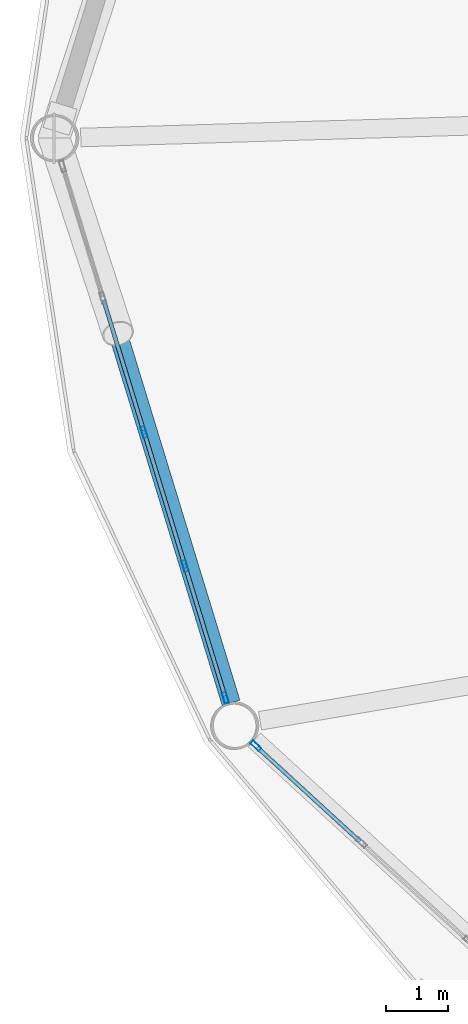
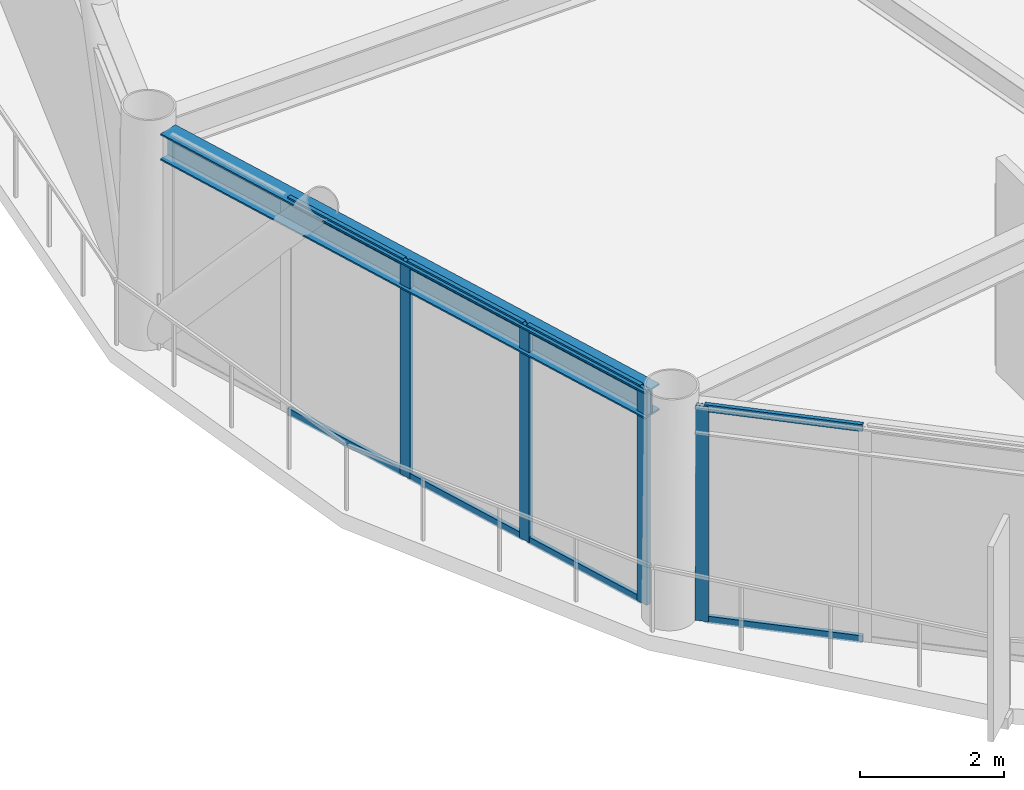
# One storey, part 5 of 25: 12 members, 1 beam, 2 elements without a shape of their own.
"""IFC4 building model written with IfcOpenShell, lengths in metres."""

from ifc_helpers import new_model, si_unit, direction, frame, origin, origin_2d, place, context, subcontext, project, spatial, hollow_rectangle, i_section, extrude, material, layer, layer_set, material_profile, profile_set, type_object, element, aggregate, save


model = new_model("IFC4")

# Units and contexts
model_context = context("Model", 3, precision=1e-05, world=origin(), true_north=direction((0.0, 1.0)))
body_context = subcontext(model_context, "Body", "Model", "MODEL_VIEW")
ifc_project = project(units=[si_unit("LENGTHUNIT", "METRE"), si_unit("AREAUNIT", "SQUARE_METRE"), si_unit("VOLUMEUNIT", "CUBIC_METRE"), si_unit("PLANEANGLEUNIT", "RADIAN"), si_unit("MASSUNIT", "GRAM", prefix="KILO")], contexts=[model_context])

# Site, building, storey
site_placement = place(None, origin())
site = spatial("IfcSite", under=ifc_project, at=site_placement, CompositionType="ELEMENT")
building_placement = place(site_placement, origin())
building = spatial("IfcBuilding", under=site, at=building_placement, Name="Varnakorn Sky Granary", CompositionType="ELEMENT")
storey_placement = place(building_placement, frame((0.0, 0.0, 146.10009765625)))
storey = spatial("IfcBuildingStorey", under=building, at=storey_placement, Name="L36", CompositionType="ELEMENT", Elevation=146.10009765625)

# Beam
ifc_material_1 = material(Name="Steel S355JR", Category="steel")
ifc_material_profile_1 = material_profile(ifc_material_1, i_section(OverallWidth=0.300048828125, OverallDepth=0.449951171875, WebThickness=0.013916015625, FlangeThickness=0.02587890625, at=origin_2d()), Name="HE 450 B")
ifc_profile_set_1 = profile_set([ifc_material_profile_1], Name="Steel S355JR")
beam_type = type_object("IfcBeamType", Name="BM-SPD-Z3", PredefinedType="SPANDREL", material=ifc_profile_set_1)
beam_placement = place(storey_placement, frame((-22.17578125, -0.35009765625, 3.414794921875), z_axis=(0.292751000274, -0.956188711416, 0.0), x_axis=(0.956188711416, 0.292751000274, 0.0)))
element("IfcBeam", 1, at=beam_placement, inside=storey, type_object=beam_type, Name="Perimeter Spandrel Ring Beam RB07 L36", PredefinedType="SPANDREL", context=body_context, shape_type="SweptSolid", body=[
    extrude(i_section(OverallWidth=0.300048828125, OverallDepth=0.449951171875, WebThickness=0.013916015625, FlangeThickness=0.02587890625, at=origin_2d()), origin(), (0.0, 0.0, 1.0), 9.178466796875),
])

# Curtain wall, members
ifc_material_2 = material(Name="Anodised Bronze Aluminium Alloy 6063-T6", Category="aluminium")
ifc_layer = layer(ifc_material_2, 0.179931640625, Name="Anodised Bronze Aluminium Alloy 6063-T6")
ifc_layer_set = layer_set([ifc_layer], Name="Anodised Bronze Aluminium Alloy 6063-T6")
curtain_wall_type = type_object("IfcCurtainWallType", Name="CW-FRM-2", PredefinedType="USERDEFINED", material=ifc_layer_set)
curtain_wall_1_placement = place(storey_placement, origin())
curtain_wall_1 = element("IfcCurtainWall", 2, at=curtain_wall_1_placement, inside=storey, type_object=curtain_wall_type, Name="Unitised Curtain Wall CW4 CW-L36-B07", ObjectType="CURTAIN WALL", PredefinedType="USERDEFINED")
ifc_material_profile_2 = material_profile(ifc_material_2, hollow_rectangle(XDim=0.070068359375, YDim=0.18505859375, WallThickness=0.00390625, at=origin_2d()), Name="ALU MULL 70x185")
ifc_profile_set_2 = profile_set([ifc_material_profile_2], Name="Anodised Bronze Aluminium Alloy 6063-T6")
member_type_1 = type_object("IfcMemberType", Name="CW-FRM-2-MULL", PredefinedType="MULLION", material=ifc_profile_set_2)
member_1_placement = place(storey_placement, frame((-19.5791015625, -9.04541015625, 0.0), z_axis=(0.0, 0.0, 1.0), x_axis=(-0.956145304488, -0.29289273925, 0.0)))
member_1 = element("IfcMember", 3, at=member_1_placement, type_object=member_type_1, Name="CW4 mullion 1", PredefinedType="MULLION", context=body_context, shape_type="SweptSolid", body=[
    extrude(hollow_rectangle(XDim=0.070068359375, YDim=0.18505859375, WallThickness=0.00390625, at=origin_2d()), origin(), (0.0, 0.0, 1.0), 3.639892578125),
])
member_2_placement = place(storey_placement, frame((-20.23193359375, -6.91455078125, 0.0), z_axis=(0.0, 0.0, 1.0), x_axis=(-0.956145304488, -0.29289273925, 0.0)))
member_2 = element("IfcMember", 4, at=member_2_placement, type_object=member_type_1, Name="CW4 mullion 2", PredefinedType="MULLION", context=body_context, shape_type="SweptSolid", body=[
    extrude(hollow_rectangle(XDim=0.070068359375, YDim=0.18505859375, WallThickness=0.00390625, at=origin_2d()), origin(), (0.0, 0.0, 1.0), 3.639892578125),
])
member_3_placement = place(storey_placement, frame((-20.894775390625, -4.750244140625, 0.0), z_axis=(0.0, 0.0, 1.0), x_axis=(-0.956145304488, -0.29289273925, 0.0)))
member_3 = element("IfcMember", 5, at=member_3_placement, type_object=member_type_1, Name="CW4 mullion 3", PredefinedType="MULLION", context=body_context, shape_type="SweptSolid", body=[
    extrude(hollow_rectangle(XDim=0.070068359375, YDim=0.18505859375, WallThickness=0.00390625, at=origin_2d()), origin(), (0.0, 0.0, 1.0), 3.639892578125),
])

# Curtain wall, member
curtain_wall_2_placement = place(storey_placement, origin())
curtain_wall_2 = element("IfcCurtainWall", 6, at=curtain_wall_2_placement, inside=storey, type_object=curtain_wall_type, Name="Unitised Curtain Wall CW4 CW-L36-B08", ObjectType="CURTAIN WALL", PredefinedType="USERDEFINED")
member_4_placement = place(storey_placement, frame((-19.0888671875, -9.822265625, 0.0), z_axis=(0.0, 0.0, 1.0), x_axis=(-0.675960473988, -0.736937879069, 0.0)))
member_4 = element("IfcMember", 7, at=member_4_placement, type_object=member_type_1, Name="CW4 mullion 5", PredefinedType="MULLION", context=body_context, shape_type="SweptSolid", body=[
    extrude(hollow_rectangle(XDim=0.070068359375, YDim=0.18505859375, WallThickness=0.00390625, at=origin_2d()), origin(), (0.0, 0.0, 1.0), 3.639892578125),
])

# Member
ifc_material_profile_3 = material_profile(ifc_material_2, hollow_rectangle(XDim=0.06494140625, YDim=0.1201171875, WallThickness=0.00341796875, at=origin_2d()), Name="ALU TRAN 65x120")
ifc_profile_set_3 = profile_set([ifc_material_profile_3], Name="Anodised Bronze Aluminium Alloy 6063-T6")
member_type_2 = type_object("IfcMemberType", Name="CW-FRM-2-TRAN", PredefinedType="USERDEFINED", material=ifc_profile_set_3)
member_5_placement = place(storey_placement, frame((-19.58935546875, -9.011962890625, 0.032470703125), z_axis=(-0.292925301905, 0.956135329074, 0.0), x_axis=(-0.956135329074, -0.292925301905, 0.0)))
member_5 = element("IfcMember", 8, at=member_5_placement, type_object=member_type_2, Name="CW4 transom 1.1", ObjectType="TRANSOM", PredefinedType="USERDEFINED", context=body_context, shape_type="SweptSolid", body=[
    extrude(hollow_rectangle(XDim=0.06494140625, YDim=0.1201171875, WallThickness=0.00341796875, at=origin_2d()), origin(), (0.0, 0.0, 1.0), 2.15869140625),
])

member_6_placement = place(storey_placement, frame((-19.58935546875, -9.011962890625, 3.607421875), z_axis=(-0.292925301905, 0.956135329074, 0.0), x_axis=(-0.956135329074, -0.292925301905, 0.0)))
member_6 = element("IfcMember", 9, at=member_6_placement, type_object=member_type_2, Name="CW4 transom 1.2", ObjectType="TRANSOM", PredefinedType="USERDEFINED", context=body_context, shape_type="SweptSolid", body=[
    extrude(hollow_rectangle(XDim=0.06494140625, YDim=0.1201171875, WallThickness=0.00341796875, at=origin_2d()), origin(), (0.0, 0.0, 1.0), 2.15869140625),
])

member_7_placement = place(storey_placement, frame((-20.2421875, -6.881103515625, 0.032470703125), z_axis=(-0.292826416271, 0.956165618465, 0.0), x_axis=(-0.956165618465, -0.292826416271, 0.0)))
member_7 = element("IfcMember", 10, at=member_7_placement, type_object=member_type_2, Name="CW4 transom 2.1", ObjectType="TRANSOM", PredefinedType="USERDEFINED", context=body_context, shape_type="SweptSolid", body=[
    extrude(hollow_rectangle(XDim=0.06494140625, YDim=0.1201171875, WallThickness=0.00341796875, at=origin_2d()), origin(), (0.0, 0.0, 1.0), 2.193603515625),
])

member_8_placement = place(storey_placement, frame((-20.2421875, -6.881103515625, 3.607421875), z_axis=(-0.292826416271, 0.956165618465, 0.0), x_axis=(-0.956165618465, -0.292826416271, 0.0)))
member_8 = element("IfcMember", 11, at=member_8_placement, type_object=member_type_2, Name="CW4 transom 2.2", ObjectType="TRANSOM", PredefinedType="USERDEFINED", context=body_context, shape_type="SweptSolid", body=[
    extrude(hollow_rectangle(XDim=0.06494140625, YDim=0.1201171875, WallThickness=0.00341796875, at=origin_2d()), origin(), (0.0, 0.0, 1.0), 2.193603515625),
])

member_9_placement = place(storey_placement, frame((-20.905029296875, -4.716796875, 0.032470703125), z_axis=(-0.292928166271, 0.956134451531, 0.0), x_axis=(-0.956134451531, -0.292928166271, 0.0)))
member_9 = element("IfcMember", 12, at=member_9_placement, type_object=member_type_2, Name="CW4 transom 3.1", ObjectType="TRANSOM", PredefinedType="USERDEFINED", context=body_context, shape_type="SweptSolid", body=[
    extrude(hollow_rectangle(XDim=0.06494140625, YDim=0.1201171875, WallThickness=0.00341796875, at=origin_2d()), origin(), (0.0, 0.0, 1.0), 2.193603515625),
])

member_10_placement = place(storey_placement, frame((-20.905029296875, -4.716796875, 3.607421875), z_axis=(-0.292928166271, 0.956134451531, 0.0), x_axis=(-0.956134451531, -0.292928166271, 0.0)))
member_10 = element("IfcMember", 13, at=member_10_placement, type_object=member_type_2, Name="CW4 transom 3.2", ObjectType="TRANSOM", PredefinedType="USERDEFINED", context=body_context, shape_type="SweptSolid", body=[
    extrude(hollow_rectangle(XDim=0.06494140625, YDim=0.1201171875, WallThickness=0.00341796875, at=origin_2d()), origin(), (0.0, 0.0, 1.0), 2.193603515625),
])

aggregate(curtain_wall_1, [member_1, member_2, member_3, member_5, member_6, member_7, member_8, member_9, member_10])

member_11_placement = place(storey_placement, frame((-17.407470703125, -11.364501953125, 0.032470703125), z_axis=(-0.736982708945, 0.67591159682, 0.0), x_axis=(-0.67591159682, -0.736982708945, 0.0)))
member_11 = element("IfcMember", 14, at=member_11_placement, type_object=member_type_2, Name="CW4 transom 4.1", ObjectType="TRANSOM", PredefinedType="USERDEFINED", context=body_context, shape_type="SweptSolid", body=[
    extrude(hollow_rectangle(XDim=0.06494140625, YDim=0.1201171875, WallThickness=0.00341796875, at=origin_2d()), origin(), (0.0, 0.0, 1.0), 2.24658203125),
])

member_12_placement = place(storey_placement, frame((-17.407470703125, -11.364501953125, 3.607421875), z_axis=(-0.736982708945, 0.67591159682, 0.0), x_axis=(-0.67591159682, -0.736982708945, 0.0)))
member_12 = element("IfcMember", 15, at=member_12_placement, type_object=member_type_2, Name="CW4 transom 4.2", ObjectType="TRANSOM", PredefinedType="USERDEFINED", context=body_context, shape_type="SweptSolid", body=[
    extrude(hollow_rectangle(XDim=0.06494140625, YDim=0.1201171875, WallThickness=0.00341796875, at=origin_2d()), origin(), (0.0, 0.0, 1.0), 2.24658203125),
])

aggregate(curtain_wall_2, [member_4, member_11, member_12])

save(model, "model.ifc")
